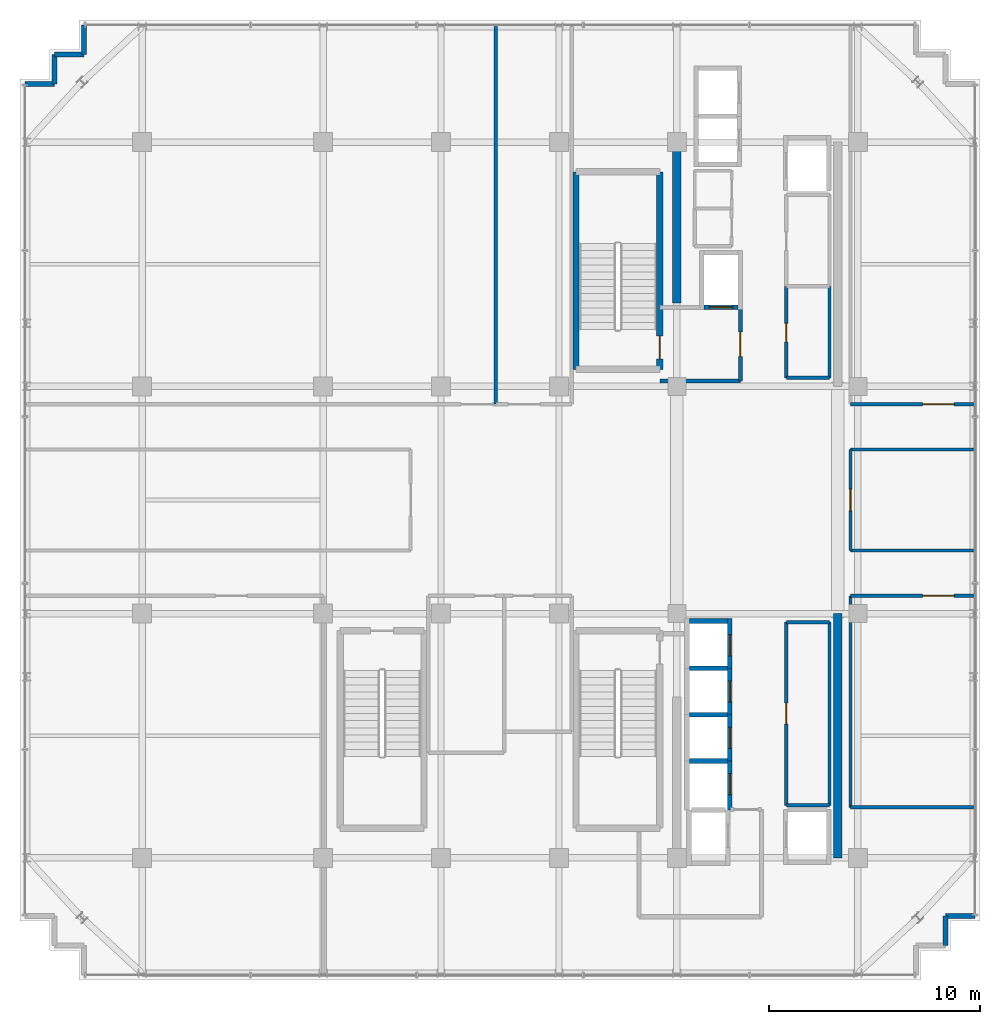
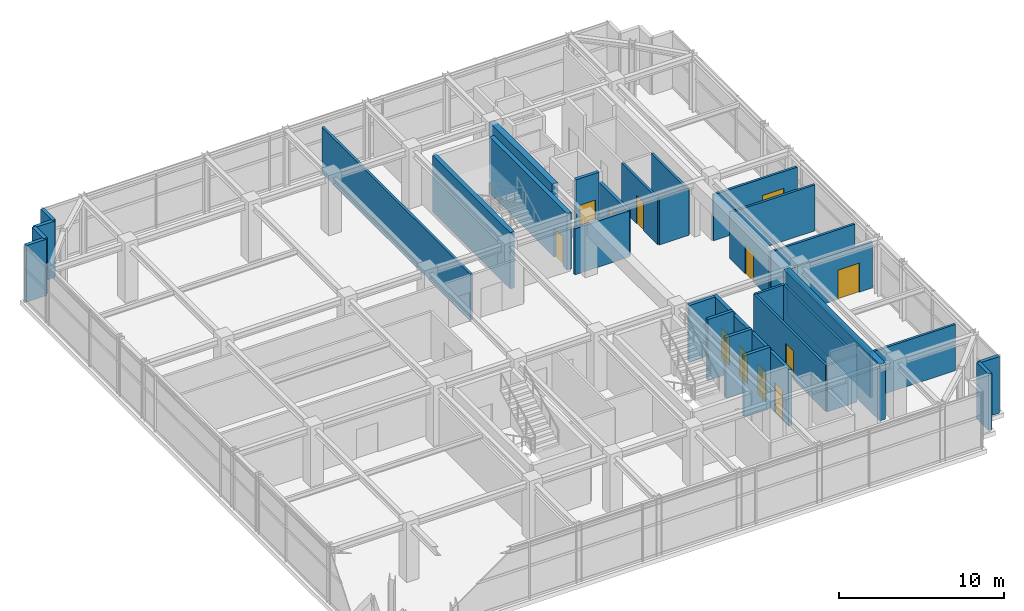
# One storey, part 18 of 20: 36 walls, 12 doors, 12 openings.
"""IFC4 building model written with IfcOpenShell, lengths in metres."""

from ifc_helpers import new_model, si_unit, direction, frame, frame_2d, origin, place, context, subcontext, project, spatial, rectangle, extrude, source, transform, mapped, material, layer, layer_set, type_object, element, fill, save


model = new_model("IFC4")

# Units and contexts
model_context = context("Model", 3, precision=1e-05, world=origin(), true_north=direction((0.0, 1.0)))
body_context = subcontext(model_context, "Body", "Model", "MODEL_VIEW")
ifc_project = project(units=[si_unit("LENGTHUNIT", "METRE"), si_unit("AREAUNIT", "SQUARE_METRE"), si_unit("VOLUMEUNIT", "CUBIC_METRE"), si_unit("PLANEANGLEUNIT", "RADIAN"), si_unit("MASSUNIT", "GRAM", prefix="KILO")], contexts=[model_context])

# Site, building, storey
site_placement = place(None, origin())
site = spatial("IfcSite", under=ifc_project, at=site_placement, CompositionType="ELEMENT")
building_placement = place(site_placement, origin())
building = spatial("IfcBuilding", under=site, at=building_placement, Name="Nahalor Promenade Grand Hotel", CompositionType="ELEMENT")
storey_placement = place(building_placement, frame((0.0, 0.0, 347.550048828125)))
storey = spatial("IfcBuildingStorey", under=building, at=storey_placement, Name="L89", CompositionType="ELEMENT", Elevation=347.550048828125)

# Walls
ifc_material_1 = material(Name="Concrete B-50 (C40/50)", Category="concrete")
ifc_layer_1 = layer(ifc_material_1, 0.39990234375)
ifc_layer_set_1 = layer_set([ifc_layer_1], Name="Concrete B-50 (C40/50)")
wall_type_1 = type_object("IfcWallType", Name="Wall-CoreShear-400", PredefinedType="SHEAR", material=ifc_layer_set_1)
shared_shape_1 = source(origin(), body_context, "Body", "SweptSolid", [
    extrude(rectangle(XDim=7.64990234375, YDim=0.39990234375, at=frame_2d((3.824951171875, 0.0))), origin(), (0.0, 0.0, 1.0), 4.169921875),
])
wall_1_placement = place(storey_placement, frame((8.39990234375, 9.35009765625, 0.0), z_axis=(0.0, 0.0, 1.0), x_axis=(0.0, 1.0, 0.0)))
element("IfcWall", 1, at=wall_1_placement, inside=storey, type_object=wall_type_1, Name="CWALL-L89-NW", PredefinedType="SHEAR", context=body_context, shape_type="MappedRepresentation", body=[
    mapped(shared_shape_1, transform((0.0, 0.0, 0.0), scale=1.0)),
])
shared_shape_2 = source(origin(), body_context, "Body", "SweptSolid", [
    extrude(rectangle(XDim=11.60009765625, YDim=0.39990234375, at=frame_2d((5.800048828125, 0.0))), origin(), (0.0, 0.0, 1.0), 4.169921875),
])
wall_2_placement = place(storey_placement, frame((16.050048828125, -17.0, 0.0), z_axis=(0.0, 0.0, 1.0), x_axis=(0.0, 1.0, 0.0)))
element("IfcWall", 2, at=wall_2_placement, inside=storey, type_object=wall_type_1, Name="CWALL-L89-SE", PredefinedType="SHEAR", context=body_context, shape_type="MappedRepresentation", body=[
    mapped(shared_shape_2, transform((0.0, 0.0, 0.0), scale=1.0)),
])
ifc_layer_2 = layer(ifc_material_1, 0.300048828125)
ifc_layer_set_2 = layer_set([ifc_layer_2], Name="Concrete B-50 (C40/50)")
wall_type_2 = type_object("IfcWallType", Name="Wall-ShaftShear-300", PredefinedType="SHEAR", material=ifc_layer_set_2)
shared_shape_3 = source(origin(), body_context, "Body", "SweptSolid", [
    extrude(rectangle(XDim=9.380126953125, YDim=0.300048828125, at=frame_2d((4.68994140625, 0.0))), origin(), (0.0, 0.0, 1.0), 4.169921875),
])
wall_3_placement = place(storey_placement, frame((3.610107421875, 6.2099609375, 0.0), z_axis=(0.0, 0.0, 1.0), x_axis=(0.0, 1.0, 0.0)))
element("IfcWall", 3, at=wall_3_placement, inside=storey, type_object=wall_type_2, Name="L89 Exit Stair ST1 Shaft Wall W", PredefinedType="SHEAR", context=body_context, shape_type="MappedRepresentation", body=[
    mapped(shared_shape_3, transform((0.0, 0.0, 0.0), scale=1.0)),
])

# Wall, opening, door
wall_4_placement = place(storey_placement, frame((7.590087890625, 6.2099609375, 0.0), z_axis=(0.0, 0.0, 1.0), x_axis=(0.0, 1.0, 0.0)))
wall_4 = element("IfcWall", 4, at=wall_4_placement, inside=storey, type_object=wall_type_2, Name="L89 Exit Stair ST1 Shaft Wall E", PredefinedType="SHEAR", context=body_context, shape_type="MappedRepresentation", body=[
    mapped(shared_shape_3, transform((0.0, 0.0, 0.0), scale=1.0)),
])
opening_1_placement = place(wall_4_placement, frame((0.489990234375, 0.0, 0.0)))
opening_1 = element("IfcOpeningElement", 5, at=opening_1_placement, cuts=wall_4, Name="Opening D-ST1", PredefinedType="OPENING", context=body_context, shape_type="SweptSolid", body=[
    extrude(rectangle(XDim=1.10009765625, YDim=2.14990234375, at=frame_2d((0.550048828125, 1.074951171875))), frame((0.0, 0.159912109375, 0.0), z_axis=(0.0, -1.0, 0.0), x_axis=(1.0, 0.0, 0.0)), (0.0, 0.0, 1.0), 0.320068359375),
])
ifc_material_2 = material(Name="Steel S355JR", Category="steel")
door_type_1 = type_object("IfcDoorType", Name="Door-StairFire-1100", OperationType="NOTDEFINED", PredefinedType="DOOR", material=ifc_material_2)
shared_shape_4 = source(origin(), body_context, "Body", "SweptSolid", [
    extrude(rectangle(XDim=1.10009765625, YDim=2.14990234375, at=frame_2d((0.550048828125, 1.074951171875))), frame((0.0, 0.02490234375, 0.0), z_axis=(0.0, -1.0, 0.0), x_axis=(1.0, 0.0, 0.0)), (0.0, 0.0, 1.0), 0.050048828125),
])
door_1_placement = place(opening_1_placement, origin())
door_1 = element("IfcDoor", 6, at=door_1_placement, inside=storey, type_object=door_type_1, Name="DR-STAIR-ST1-L89", OperationType="SINGLE_SWING_RIGHT", OverallHeight=2.14990234375, OverallWidth=1.10009765625, PredefinedType="DOOR", context=body_context, shape_type="MappedRepresentation", body=[
    mapped(shared_shape_4, transform((0.0, 0.0, 0.0), scale=1.0)),
])
fill(opening_1, door_1)

# Walls
ifc_layer_3 = layer(ifc_material_1, 0.219970703125)
ifc_layer_set_3 = layer_set([ifc_layer_3], Name="Concrete B-50 (C40/50)")
wall_type_3 = type_object("IfcWallType", Name="Wall-LiftShaft-220", PredefinedType="SHEAR", material=ifc_layer_set_3)
shared_shape_5 = source(origin(), body_context, "Body", "SweptSolid", [
    extrude(rectangle(XDim=1.820068359375, YDim=0.219970703125, at=frame_2d((0.91015625, 0.0))), origin(), (0.0, 0.0, 1.0), 4.5),
])
for number, where, z_axis, x_axis, name in (
    (7, (8.989990234375, -8.0, 0.0), (0.0, 0.0, 1.0), (1.0, 0.0, 0.0), "L89 Lift PL10 Hoistway Wall N"),
    (8, (8.989990234375, -10.199951171875, 0.0), (0.0, 0.0, 1.0), (1.0, 0.0, 0.0), "L89 Lift PL11 Hoistway Wall N"),
    (9, (8.989990234375, -12.39990234375, 0.0), (0.0, 0.0, 1.0), (1.0, 0.0, 0.0), "L89 Lift PL12 Hoistway Wall N"),
):
    element("IfcWall", number, at=place(storey_placement, frame(where, z_axis=z_axis, x_axis=x_axis)), inside=storey, type_object=wall_type_3, Name=name, PredefinedType="SHEAR", context=body_context, shape_type="MappedRepresentation", body=[
        mapped(shared_shape_5, transform((0.0, 0.0, 0.0), scale=1.0)),
    ])

# Wall, opening, door
shared_shape_6 = source(origin(), body_context, "Body", "SweptSolid", [
    extrude(rectangle(XDim=2.360107421875, YDim=0.219970703125, at=frame_2d((1.18017578125, 0.0))), origin(), (0.0, 0.0, 1.0), 4.169921875),
])
wall_5_placement = place(storey_placement, frame((10.919921875, -8.0, 0.0), z_axis=(0.0, 0.0, 1.0), x_axis=(0.0, 1.0, 0.0)))
wall_5 = element("IfcWall", 10, at=wall_5_placement, inside=storey, type_object=wall_type_3, Name="L89 Lift PL9 Hoistway Wall E", PredefinedType="SHEAR", context=body_context, shape_type="MappedRepresentation", body=[
    mapped(shared_shape_6, transform((0.0, 0.0, 0.0), scale=1.0)),
])
opening_2_placement = place(wall_5_placement, frame((0.60009765625, 0.0, 0.0)))
opening_2 = element("IfcOpeningElement", 11, at=opening_2_placement, cuts=wall_5, Name="Opening LD-01", PredefinedType="OPENING", context=body_context, shape_type="SweptSolid", body=[
    extrude(rectangle(XDim=1.0, YDim=2.199951171875, at=frame_2d((0.5, 1.10009765625))), frame((0.0, 0.119873046875, 0.0), z_axis=(0.0, -1.0, 0.0), x_axis=(1.0, 0.0, 0.0)), (0.0, 0.0, 1.0), 0.239990234375),
])
door_type_2 = type_object("IfcDoorType", Name="Door-LiftLanding-1000", OperationType="DOUBLE_DOOR_SLIDING", PredefinedType="DOOR", material=ifc_material_2)
shared_shape_7 = source(origin(), body_context, "Body", "SweptSolid", [
    extrude(rectangle(XDim=1.0, YDim=2.199951171875, at=frame_2d((0.5, 1.10009765625))), frame((0.0, 0.02490234375, 0.0), z_axis=(0.0, -1.0, 0.0), x_axis=(1.0, 0.0, 0.0)), (0.0, 0.0, 1.0), 0.050048828125),
])
door_2_placement = place(opening_2_placement, frame((1.0, 0.0, 0.0), z_axis=(0.0, 0.0, 1.0), x_axis=(-1.0, 0.0, 0.0)))
door_2 = element("IfcDoor", 12, at=door_2_placement, inside=storey, type_object=door_type_2, Name="DR-LIFT-PL9-L89", OperationType="DOUBLE_DOOR_SLIDING", OverallHeight=2.199951171875, OverallWidth=1.0, PredefinedType="DOOR", context=body_context, shape_type="MappedRepresentation", body=[
    mapped(shared_shape_7, transform((0.0, 0.0, 0.0), scale=1.0)),
])
fill(opening_2, door_2)

# Wall
shared_shape_8 = source(origin(), body_context, "Body", "SweptSolid", [
    extrude(rectangle(XDim=1.820068359375, YDim=0.219970703125, at=frame_2d((0.91015625, 0.0))), origin(), (0.0, 0.0, 1.0), 4.169921875),
])
wall_6_placement = place(storey_placement, frame((8.989990234375, -5.75, 0.0), z_axis=(0.0, 0.0, 1.0), x_axis=(1.0, 0.0, 0.0)))
element("IfcWall", 13, at=wall_6_placement, inside=storey, type_object=wall_type_3, Name="L89 Lift PL9 Hoistway Wall N", PredefinedType="SHEAR", context=body_context, shape_type="MappedRepresentation", body=[
    mapped(shared_shape_8, transform((0.0, 0.0, 0.0), scale=1.0)),
])

# Wall, opening, door
shared_shape_9 = source(origin(), body_context, "Body", "SweptSolid", [
    extrude(rectangle(XDim=2.199951171875, YDim=0.219970703125, at=frame_2d((1.10009765625, 0.0))), origin(), (0.0, 0.0, 1.0), 4.169921875),
])
wall_7_placement = place(storey_placement, frame((10.919921875, -10.199951171875, 0.0), z_axis=(0.0, 0.0, 1.0), x_axis=(0.0, 1.0, 0.0)))
wall_7 = element("IfcWall", 14, at=wall_7_placement, inside=storey, type_object=wall_type_3, Name="L89 Lift PL10 Hoistway Wall E", PredefinedType="SHEAR", context=body_context, shape_type="MappedRepresentation", body=[
    mapped(shared_shape_9, transform((0.0, 0.0, 0.0), scale=1.0)),
])
opening_3_placement = place(wall_7_placement, frame((0.60009765625, 0.0, 0.0)))
opening_3 = element("IfcOpeningElement", 15, at=opening_3_placement, cuts=wall_7, Name="Opening LD-01", PredefinedType="OPENING", context=body_context, shape_type="SweptSolid", body=[
    extrude(rectangle(XDim=1.0, YDim=2.199951171875, at=frame_2d((0.5, 1.10009765625))), frame((0.0, 0.119873046875, 0.0), z_axis=(0.0, -1.0, 0.0), x_axis=(1.0, 0.0, 0.0)), (0.0, 0.0, 1.0), 0.239990234375),
])
door_3_placement = place(opening_3_placement, frame((1.0, 0.0, 0.0), z_axis=(0.0, 0.0, 1.0), x_axis=(-1.0, 0.0, 0.0)))
door_3 = element("IfcDoor", 16, at=door_3_placement, inside=storey, type_object=door_type_2, Name="DR-LIFT-PL10-L89", OperationType="DOUBLE_DOOR_SLIDING", OverallHeight=2.199951171875, OverallWidth=1.0, PredefinedType="DOOR", context=body_context, shape_type="MappedRepresentation", body=[
    mapped(shared_shape_7, transform((0.0, 0.0, 0.0), scale=1.0)),
])
fill(opening_3, door_3)

wall_8_placement = place(storey_placement, frame((10.919921875, -12.39990234375, 0.0), z_axis=(0.0, 0.0, 1.0), x_axis=(0.0, 1.0, 0.0)))
wall_8 = element("IfcWall", 17, at=wall_8_placement, inside=storey, type_object=wall_type_3, Name="L89 Lift PL11 Hoistway Wall E", PredefinedType="SHEAR", context=body_context, shape_type="MappedRepresentation", body=[
    mapped(shared_shape_9, transform((0.0, 0.0, 0.0), scale=1.0)),
])
opening_4_placement = place(wall_8_placement, frame((0.60009765625, 0.0, 0.0)))
opening_4 = element("IfcOpeningElement", 18, at=opening_4_placement, cuts=wall_8, Name="Opening LD-01", PredefinedType="OPENING", context=body_context, shape_type="SweptSolid", body=[
    extrude(rectangle(XDim=1.0, YDim=2.199951171875, at=frame_2d((0.5, 1.10009765625))), frame((0.0, 0.119873046875, 0.0), z_axis=(0.0, -1.0, 0.0), x_axis=(1.0, 0.0, 0.0)), (0.0, 0.0, 1.0), 0.239990234375),
])
door_4_placement = place(opening_4_placement, frame((1.0, 0.0, 0.0), z_axis=(0.0, 0.0, 1.0), x_axis=(-1.0, 0.0, 0.0)))
door_4 = element("IfcDoor", 19, at=door_4_placement, inside=storey, type_object=door_type_2, Name="DR-LIFT-PL11-L89", OperationType="DOUBLE_DOOR_SLIDING", OverallHeight=2.199951171875, OverallWidth=1.0, PredefinedType="DOOR", context=body_context, shape_type="MappedRepresentation", body=[
    mapped(shared_shape_7, transform((0.0, 0.0, 0.0), scale=1.0)),
])
fill(opening_4, door_4)

shared_shape_10 = source(origin(), body_context, "Body", "SweptSolid", [
    extrude(rectangle(XDim=2.3251953125, YDim=0.219970703125, at=frame_2d((1.16259765625, 0.0))), origin(), (0.0, 0.0, 1.0), 4.169921875),
])
wall_9_placement = place(storey_placement, frame((10.919921875, -14.72509765625, 0.0), z_axis=(0.0, 0.0, 1.0), x_axis=(0.0, 1.0, 0.0)))
wall_9 = element("IfcWall", 20, at=wall_9_placement, inside=storey, type_object=wall_type_3, Name="L89 Lift PL12 Hoistway Wall E", PredefinedType="SHEAR", context=body_context, shape_type="MappedRepresentation", body=[
    mapped(shared_shape_10, transform((0.0, 0.0, 0.0), scale=1.0)),
])
opening_5_placement = place(wall_9_placement, frame((0.72509765625, 0.0, 0.0)))
opening_5 = element("IfcOpeningElement", 21, at=opening_5_placement, cuts=wall_9, Name="Opening LD-01", PredefinedType="OPENING", context=body_context, shape_type="SweptSolid", body=[
    extrude(rectangle(XDim=1.0, YDim=2.199951171875, at=frame_2d((0.5, 1.10009765625))), frame((0.0, 0.119873046875, 0.0), z_axis=(0.0, -1.0, 0.0), x_axis=(1.0, 0.0, 0.0)), (0.0, 0.0, 1.0), 0.239990234375),
])
door_5_placement = place(opening_5_placement, frame((1.0, 0.0, 0.0), z_axis=(0.0, 0.0, 1.0), x_axis=(-1.0, 0.0, 0.0)))
door_5 = element("IfcDoor", 22, at=door_5_placement, inside=storey, type_object=door_type_2, Name="DR-LIFT-PL12-L89", OperationType="DOUBLE_DOOR_SLIDING", OverallHeight=2.199951171875, OverallWidth=1.0, PredefinedType="DOOR", context=body_context, shape_type="MappedRepresentation", body=[
    mapped(shared_shape_7, transform((0.0, 0.0, 0.0), scale=1.0)),
])
fill(opening_5, door_5)

shared_shape_11 = source(origin(), body_context, "Body", "SweptSolid", [
    extrude(rectangle(XDim=1.6201171875, YDim=0.219970703125, at=frame_2d((0.81005859375, 0.0))), origin(), (0.0, 0.0, 1.0), 4.169921875),
])
wall_10_placement = place(storey_placement, frame((9.68994140625, 9.14990234375, 0.0), z_axis=(0.0, 0.0, 1.0), x_axis=(1.0, 0.0, 0.0)))
wall_10 = element("IfcWall", 23, at=wall_10_placement, inside=storey, type_object=wall_type_3, Name="L89 Lift FL1 Hoistway Wall S", PredefinedType="SHEAR", context=body_context, shape_type="MappedRepresentation", body=[
    mapped(shared_shape_11, transform((0.0, 0.0, 0.0), scale=1.0)),
])
opening_6_placement = place(wall_10_placement, frame((0.260009765625, 0.0, 0.0)))
opening_6 = element("IfcOpeningElement", 24, at=opening_6_placement, cuts=wall_10, Name="Opening LD-02", PredefinedType="OPENING", context=body_context, shape_type="SweptSolid", body=[
    extrude(rectangle(XDim=1.10009765625, YDim=2.199951171875, at=frame_2d((0.550048828125, 1.10009765625))), frame((0.0, 0.119873046875, 0.0), z_axis=(0.0, -1.0, 0.0), x_axis=(1.0, 0.0, 0.0)), (0.0, 0.0, 1.0), 0.239990234375),
])
door_type_3 = type_object("IfcDoorType", Name="Door-LiftFF-1100", OperationType="DOUBLE_DOOR_SLIDING", PredefinedType="DOOR", material=ifc_material_2)
shared_shape_12 = source(origin(), body_context, "Body", "SweptSolid", [
    extrude(rectangle(XDim=1.10009765625, YDim=2.199951171875, at=frame_2d((0.550048828125, 1.10009765625))), frame((0.0, 0.02490234375, 0.0), z_axis=(0.0, -1.0, 0.0), x_axis=(1.0, 0.0, 0.0)), (0.0, 0.0, 1.0), 0.050048828125),
])
door_6_placement = place(opening_6_placement, frame((1.10009765625, 0.0, 0.0), z_axis=(0.0, 0.0, 1.0), x_axis=(-1.0, 0.0, 0.0)))
door_6 = element("IfcDoor", 25, at=door_6_placement, inside=storey, type_object=door_type_3, Name="DR-LIFT-FL1-L89", OperationType="DOUBLE_DOOR_SLIDING", OverallHeight=2.199951171875, OverallWidth=1.10009765625, PredefinedType="DOOR", context=body_context, shape_type="MappedRepresentation", body=[
    mapped(shared_shape_12, transform((0.0, 0.0, 0.0), scale=1.0)),
])
fill(opening_6, door_6)

# Walls
ifc_material_3 = material(Name="Concrete B-40 (C32/40)", Category="concrete")
ifc_layer_4 = layer(ifc_material_3, 0.25)
ifc_layer_set_4 = layer_set([ifc_layer_4], Name="Concrete B-40 (C32/40)")
wall_type_4 = type_object("IfcWallType", Name="Wall-BronzePier-250", PredefinedType="STANDARD", material=ifc_layer_set_4)
shared_shape_13 = source(origin(), body_context, "Body", "SweptSolid", [
    extrude(rectangle(XDim=1.400146484375, YDim=0.25, at=frame_2d((0.7001953125, 0.0))), origin(), (0.0, 0.0, 1.0), 4.169921875),
])
for number, where, z_axis, x_axis, name in (
    (26, (21.159912109375, -19.760009765625, 0.0), (0.0, 0.0, 1.0), (1.0, 0.0, 0.0), "W-L89-SR-04"),
    (27, (-19.760009765625, 21.159912109375, 0.0), (0.0, 0.0, 1.0), (0.0, 1.0, 0.0), "W-L89-SR-09"),
    (28, (-22.56005859375, 19.760009765625, 0.0), (0.0, 0.0, 1.0), (1.0, 0.0, 0.0), "W-L89-SR-12"),
):
    element("IfcWall", number, at=place(storey_placement, frame(where, z_axis=z_axis, x_axis=x_axis)), inside=storey, type_object=wall_type_4, Name=name, PredefinedType="STANDARD", context=body_context, shape_type="MappedRepresentation", body=[
        mapped(shared_shape_13, transform((0.0, 0.0, 0.0), scale=1.0)),
    ])
shared_shape_14 = source(origin(), body_context, "Body", "SweptSolid", [
    extrude(rectangle(XDim=1.39990234375, YDim=0.25, at=frame_2d((0.699951171875, 0.0))), origin(), (0.0, 0.0, 1.0), 4.169921875),
])
for number, where, z_axis, x_axis, name in (
    (29, (21.159912109375, -21.159912109375, 0.0), (0.0, 0.0, 1.0), (0.0, 1.0, 0.0), "W-L89-SR-03"),
    (30, (-21.159912109375, 21.159912109375, 0.0), (0.0, 0.0, 1.0), (1.0, 0.0, 0.0), "W-L89-SR-10"),
    (31, (-21.159912109375, 19.760009765625, 0.0), (0.0, 0.0, 1.0), (0.0, 1.0, 0.0), "W-L89-SR-11"),
):
    element("IfcWall", number, at=place(storey_placement, frame(where, z_axis=z_axis, x_axis=x_axis)), inside=storey, type_object=wall_type_4, Name=name, PredefinedType="STANDARD", context=body_context, shape_type="MappedRepresentation", body=[
        mapped(shared_shape_14, transform((0.0, 0.0, 0.0), scale=1.0)),
    ])
ifc_layer_5 = layer(ifc_material_3, 0.199951171875)
ifc_layer_set_5 = layer_set([ifc_layer_5], Name="Concrete B-40 (C32/40)")
wall_type_5 = type_object("IfcWallType", Name="Wall-PartFire-200", PredefinedType="PARTITIONING", material=ifc_layer_set_5)
shared_shape_15 = source(origin(), body_context, "Body", "SweptSolid", [
    extrude(rectangle(XDim=3.81982421875, YDim=0.199951171875, at=frame_2d((1.909912109375, 0.0))), origin(), (0.0, 0.0, 1.0), 3.39990234375),
])
wall_11_placement = place(storey_placement, frame((7.60009765625, 5.64990234375, 0.0), z_axis=(0.0, 0.0, 1.0), x_axis=(1.0, 0.0, 0.0)))
element("IfcWall", 32, at=wall_11_placement, inside=storey, type_object=wall_type_5, Name="W-L89-FF1-S", PredefinedType="PARTITIONING", context=body_context, shape_type="MappedRepresentation", body=[
    mapped(shared_shape_15, transform((0.0, 0.0, 0.0), scale=1.0)),
])

# Wall, opening, door
shared_shape_16 = source(origin(), body_context, "Body", "SweptSolid", [
    extrude(rectangle(XDim=3.5, YDim=0.199951171875, at=frame_2d((1.75, 0.0))), origin(), (0.0, 0.0, 1.0), 3.39990234375),
])
wall_12_placement = place(storey_placement, frame((11.419921875, 5.64990234375, 0.0), z_axis=(0.0, 0.0, 1.0), x_axis=(0.0, 1.0, 0.0)))
wall_12 = element("IfcWall", 33, at=wall_12_placement, inside=storey, type_object=wall_type_5, Name="W-L89-FF1-E", PredefinedType="PARTITIONING", context=body_context, shape_type="MappedRepresentation", body=[
    mapped(shared_shape_16, transform((0.0, 0.0, 0.0), scale=1.0)),
])
opening_7_placement = place(wall_12_placement, frame((1.175048828125, 0.0, 0.0)))
opening_7 = element("IfcOpeningElement", 34, at=opening_7_placement, cuts=wall_12, Name="Opening D-FF1", PredefinedType="OPENING", context=body_context, shape_type="SweptSolid", body=[
    extrude(rectangle(XDim=1.14990234375, YDim=2.14990234375, at=frame_2d((0.574951171875, 1.074951171875))), frame((0.0, 0.10986328125, 0.0), z_axis=(0.0, -1.0, 0.0), x_axis=(1.0, 0.0, 0.0)), (0.0, 0.0, 1.0), 0.219970703125),
])
door_type_4 = type_object("IfcDoorType", Name="Door-FFLobby-1150", OperationType="NOTDEFINED", PredefinedType="DOOR", material=ifc_material_2)
shared_shape_17 = source(origin(), body_context, "Body", "SweptSolid", [
    extrude(rectangle(XDim=1.14990234375, YDim=2.14990234375, at=frame_2d((0.574951171875, 1.074951171875))), frame((0.0, 0.02490234375, 0.0), z_axis=(0.0, -1.0, 0.0), x_axis=(1.0, 0.0, 0.0)), (0.0, 0.0, 1.0), 0.050048828125),
])
door_7_placement = place(opening_7_placement, frame((1.14990234375, 0.0, 0.0), z_axis=(0.0, 0.0, 1.0), x_axis=(-1.0, 0.0, 0.0)))
door_7 = element("IfcDoor", 35, at=door_7_placement, inside=storey, type_object=door_type_4, Name="DR-L89-FFL1", OperationType="SINGLE_SWING_LEFT", OverallHeight=2.14990234375, OverallWidth=1.14990234375, PredefinedType="DOOR", context=body_context, shape_type="MappedRepresentation", body=[
    mapped(shared_shape_17, transform((0.0, 0.0, 0.0), scale=1.0)),
])
fill(opening_7, door_7)

ifc_material_4 = material(Name="Acoustic Mineral Gypsum", Category="gypsum")
ifc_layer_6 = layer(ifc_material_4, 0.159912109375)
ifc_layer_set_6 = layer_set([ifc_layer_6], Name="Acoustic Mineral Gypsum")
wall_type_6 = type_object("IfcWallType", Name="Wall-PartCorridor-160", PredefinedType="PARTITIONING", material=ifc_layer_set_6)
shared_shape_18 = source(origin(), body_context, "Body", "SweptSolid", [
    extrude(rectangle(XDim=4.7998046875, YDim=0.159912109375, at=frame_2d((2.39990234375, 0.0))), origin(), (0.0, 0.0, 1.0), 3.39990234375),
])
wall_13_placement = place(storey_placement, frame((16.64990234375, -2.39990234375, 0.0), z_axis=(0.0, 0.0, 1.0), x_axis=(0.0, 1.0, 0.0)))
wall_13 = element("IfcWall", 36, at=wall_13_placement, inside=storey, type_object=wall_type_6, Name="W-L89-SK02-W", PredefinedType="PARTITIONING", context=body_context, shape_type="MappedRepresentation", body=[
    mapped(shared_shape_18, transform((0.0, 0.0, 0.0), scale=1.0)),
])
opening_8_placement = place(wall_13_placement, frame((1.89990234375, 0.0, 0.0)))
opening_8 = element("IfcOpeningElement", 37, at=opening_8_placement, cuts=wall_13, Name="Opening D-04", PredefinedType="OPENING", context=body_context, shape_type="SweptSolid", body=[
    extrude(rectangle(XDim=1.0, YDim=2.10009765625, at=frame_2d((0.5, 1.050048828125))), frame((0.0, 0.08984375, 0.0), z_axis=(0.0, -1.0, 0.0), x_axis=(1.0, 0.0, 0.0)), (0.0, 0.0, 1.0), 0.179931640625),
])
door_type_5 = type_object("IfcDoorType", Name="Door-ServiceFire-1000", OperationType="NOTDEFINED", PredefinedType="DOOR", material=ifc_material_2)
shared_shape_19 = source(origin(), body_context, "Body", "SweptSolid", [
    extrude(rectangle(XDim=1.0, YDim=2.10009765625, at=frame_2d((0.5, 1.050048828125))), frame((0.0, 0.02490234375, 0.0), z_axis=(0.0, -1.0, 0.0), x_axis=(1.0, 0.0, 0.0)), (0.0, 0.0, 1.0), 0.050048828125),
])
door_8_placement = place(opening_8_placement, frame((1.0, 0.0, 0.0), z_axis=(0.0, 0.0, 1.0), x_axis=(-1.0, 0.0, 0.0)))
door_8 = element("IfcDoor", 38, at=door_8_placement, inside=storey, type_object=door_type_5, Name="DR-L89-SK02", OperationType="SINGLE_SWING_RIGHT", OverallHeight=2.10009765625, OverallWidth=1.0, PredefinedType="DOOR", context=body_context, shape_type="MappedRepresentation", body=[
    mapped(shared_shape_19, transform((0.0, 0.0, 0.0), scale=1.0)),
])
fill(opening_8, door_8)

# Walls
shared_shape_20 = source(origin(), body_context, "Body", "SweptSolid", [
    extrude(rectangle(XDim=2.0498046875, YDim=0.159912109375, at=frame_2d((1.02490234375, 0.0))), origin(), (0.0, 0.0, 1.0), 3.39990234375),
])
for number, where, z_axis, x_axis, name in (
    (39, (13.60009765625, 5.800048828125, 0.0), (0.0, 0.0, 1.0), (1.0, 0.0, 0.0), "W-L89-FRB1A-S"),
    (40, (13.60009765625, -14.5, 0.0), (0.0, 0.0, 1.0), (1.0, 0.0, 0.0), "W-L89-FRB2-S"),
    (41, (13.60009765625, -5.800048828125, 0.0), (0.0, 0.0, 1.0), (1.0, 0.0, 0.0), "W-L89-FRB2-N"),
):
    element("IfcWall", number, at=place(storey_placement, frame(where, z_axis=z_axis, x_axis=x_axis)), inside=storey, type_object=wall_type_6, Name=name, PredefinedType="PARTITIONING", context=body_context, shape_type="MappedRepresentation", body=[
        mapped(shared_shape_20, transform((0.0, 0.0, 0.0), scale=1.0)),
    ])

# Wall, opening, door
shared_shape_21 = source(origin(), body_context, "Body", "SweptSolid", [
    extrude(rectangle(XDim=4.349853515625, YDim=0.159912109375, at=frame_2d((2.1748046875, 0.0))), origin(), (0.0, 0.0, 1.0), 3.39990234375),
])
wall_14_placement = place(storey_placement, frame((13.60009765625, 5.800048828125, 0.0), z_axis=(0.0, 0.0, 1.0), x_axis=(0.0, 1.0, 0.0)))
wall_14 = element("IfcWall", 42, at=wall_14_placement, inside=storey, type_object=wall_type_6, Name="W-L89-FRB1A-W", PredefinedType="PARTITIONING", context=body_context, shape_type="MappedRepresentation", body=[
    mapped(shared_shape_21, transform((0.0, 0.0, 0.0), scale=1.0)),
])
opening_9_placement = place(wall_14_placement, frame((1.7099609375, 0.0, 0.0)))
opening_9 = element("IfcOpeningElement", 43, at=opening_9_placement, cuts=wall_14, Name="Opening D-03", PredefinedType="OPENING", context=body_context, shape_type="SweptSolid", body=[
    extrude(rectangle(XDim=0.8798828125, YDim=2.10009765625, at=frame_2d((0.43994140625, 1.050048828125))), frame((0.0, 0.08984375, 0.0), z_axis=(0.0, -1.0, 0.0), x_axis=(1.0, 0.0, 0.0)), (0.0, 0.0, 1.0), 0.179931640625),
])
ifc_material_5 = material(Name="Fire-Rated Timber Composite", Category="wood")
door_type_6 = type_object("IfcDoorType", Name="Door-BathSwing-880", OperationType="NOTDEFINED", PredefinedType="DOOR", material=ifc_material_5)
shared_shape_22 = source(origin(), body_context, "Body", "SweptSolid", [
    extrude(rectangle(XDim=0.8798828125, YDim=2.10009765625, at=frame_2d((0.43994140625, 1.050048828125))), frame((0.0, 0.02490234375, 0.0), z_axis=(0.0, -1.0, 0.0), x_axis=(1.0, 0.0, 0.0)), (0.0, 0.0, 1.0), 0.050048828125),
])
door_9_placement = place(opening_9_placement, frame((0.8798828125, 0.0, 0.0), z_axis=(0.0, 0.0, 1.0), x_axis=(-1.0, 0.0, 0.0)))
door_9 = element("IfcDoor", 44, at=door_9_placement, inside=storey, type_object=door_type_6, Name="DR-L89-FRB1A", OperationType="SINGLE_SWING_LEFT", OverallHeight=2.10009765625, OverallWidth=0.8798828125, PredefinedType="DOOR", context=body_context, shape_type="MappedRepresentation", body=[
    mapped(shared_shape_22, transform((0.0, 0.0, 0.0), scale=1.0)),
])
fill(opening_9, door_9)

# Walls
wall_15_placement = place(storey_placement, frame((15.64990234375, 5.800048828125, 0.0), z_axis=(0.0, 0.0, 1.0), x_axis=(0.0, 1.0, 0.0)))
element("IfcWall", 45, at=wall_15_placement, inside=storey, type_object=wall_type_6, Name="W-L89-FRB1A-E", PredefinedType="PARTITIONING", context=body_context, shape_type="MappedRepresentation", body=[
    mapped(shared_shape_21, transform((0.0, 0.0, 0.0), scale=1.0)),
])
shared_shape_23 = source(origin(), body_context, "Body", "SweptSolid", [
    extrude(rectangle(XDim=5.85009765625, YDim=0.159912109375, at=frame_2d((2.925048828125, 0.0))), origin(), (0.0, 0.0, 1.0), 3.39990234375),
])
for number, where, z_axis, x_axis, name in (
    (46, (16.64990234375, -2.39990234375, 0.0), (0.0, 0.0, 1.0), (1.0, 0.0, 0.0), "W-L89-SK02-S"),
    (47, (16.64990234375, 2.39990234375, 0.0), (0.0, 0.0, 1.0), (1.0, 0.0, 0.0), "W-L89-SK02-N"),
):
    element("IfcWall", number, at=place(storey_placement, frame(where, z_axis=z_axis, x_axis=x_axis)), inside=storey, type_object=wall_type_6, Name=name, PredefinedType="PARTITIONING", context=body_context, shape_type="MappedRepresentation", body=[
        mapped(shared_shape_23, transform((0.0, 0.0, 0.0), scale=1.0)),
    ])

# Wall, opening, door
wall_16_placement = place(storey_placement, frame((16.64990234375, 4.550048828125, 0.0), z_axis=(0.0, 0.0, 1.0), x_axis=(1.0, 0.0, 0.0)))
wall_16 = element("IfcWall", 48, at=wall_16_placement, inside=storey, type_object=wall_type_6, Name="W-L89-SK06-S", PredefinedType="PARTITIONING", context=body_context, shape_type="MappedRepresentation", body=[
    mapped(shared_shape_23, transform((0.0, 0.0, 0.0), scale=1.0)),
])
opening_10_placement = place(wall_16_placement, frame((3.419921875, 0.0, 0.0)))
opening_10 = element("IfcOpeningElement", 49, at=opening_10_placement, cuts=wall_16, Name="Opening D-02", PredefinedType="OPENING", context=body_context, shape_type="SweptSolid", body=[
    extrude(rectangle(XDim=1.5, YDim=2.14990234375, at=frame_2d((0.75, 1.074951171875))), frame((0.0, 0.08984375, 0.0), z_axis=(0.0, -1.0, 0.0), x_axis=(1.0, 0.0, 0.0)), (0.0, 0.0, 1.0), 0.179931640625),
])
door_type_7 = type_object("IfcDoorType", Name="Door-SuiteDouble-1500", OperationType="DOUBLE_DOOR_SINGLE_SWING", PredefinedType="DOOR", material=ifc_material_5)
shared_shape_24 = source(origin(), body_context, "Body", "SweptSolid", [
    extrude(rectangle(XDim=1.5, YDim=2.14990234375, at=frame_2d((0.75, 1.074951171875))), frame((0.0, 0.02490234375, 0.0), z_axis=(0.0, -1.0, 0.0), x_axis=(1.0, 0.0, 0.0)), (0.0, 0.0, 1.0), 0.050048828125),
])
door_10_placement = place(opening_10_placement, origin())
door_10 = element("IfcDoor", 50, at=door_10_placement, inside=storey, type_object=door_type_7, Name="DR-L89-SK06", OperationType="DOUBLE_DOOR_SINGLE_SWING", OverallHeight=2.14990234375, OverallWidth=1.5, PredefinedType="DOOR", context=body_context, shape_type="MappedRepresentation", body=[
    mapped(shared_shape_24, transform((0.0, 0.0, 0.0), scale=1.0)),
])
fill(opening_10, door_10)

# Wall
wall_17_placement = place(storey_placement, frame((16.64990234375, -14.60009765625, 0.0), z_axis=(0.0, 0.0, 1.0), x_axis=(1.0, 0.0, 0.0)))
element("IfcWall", 51, at=wall_17_placement, inside=storey, type_object=wall_type_6, Name="W-L89-SK07-S", PredefinedType="PARTITIONING", context=body_context, shape_type="MappedRepresentation", body=[
    mapped(shared_shape_23, transform((0.0, 0.0, 0.0), scale=1.0)),
])

# Wall, opening, door
wall_18_placement = place(storey_placement, frame((16.64990234375, -4.550048828125, 0.0), z_axis=(0.0, 0.0, 1.0), x_axis=(1.0, 0.0, 0.0)))
wall_18 = element("IfcWall", 52, at=wall_18_placement, inside=storey, type_object=wall_type_6, Name="W-L89-SK07-N", PredefinedType="PARTITIONING", context=body_context, shape_type="MappedRepresentation", body=[
    mapped(shared_shape_23, transform((0.0, 0.0, 0.0), scale=1.0)),
])
opening_11_placement = place(wall_18_placement, frame((3.419921875, 0.0, 0.0)))
opening_11 = element("IfcOpeningElement", 53, at=opening_11_placement, cuts=wall_18, Name="Opening D-02", PredefinedType="OPENING", context=body_context, shape_type="SweptSolid", body=[
    extrude(rectangle(XDim=1.5, YDim=2.14990234375, at=frame_2d((0.75, 1.074951171875))), frame((0.0, 0.08984375, 0.0), z_axis=(0.0, -1.0, 0.0), x_axis=(1.0, 0.0, 0.0)), (0.0, 0.0, 1.0), 0.179931640625),
])
door_11_placement = place(opening_11_placement, frame((1.5, 0.0, 0.0), z_axis=(0.0, 0.0, 1.0), x_axis=(-1.0, 0.0, 0.0)))
door_11 = element("IfcDoor", 54, at=door_11_placement, inside=storey, type_object=door_type_7, Name="DR-L89-SK07", OperationType="DOUBLE_DOOR_SINGLE_SWING", OverallHeight=2.14990234375, OverallWidth=1.5, PredefinedType="DOOR", context=body_context, shape_type="MappedRepresentation", body=[
    mapped(shared_shape_24, transform((0.0, 0.0, 0.0), scale=1.0)),
])
fill(opening_11, door_11)

# Walls
shared_shape_25 = source(origin(), body_context, "Body", "SweptSolid", [
    extrude(rectangle(XDim=17.949951171875, YDim=0.159912109375, at=frame_2d((8.97509765625, 0.0))), origin(), (0.0, 0.0, 1.0), 3.39990234375),
])
wall_19_placement = place(storey_placement, frame((-0.199951171875, 4.550048828125, 0.0), z_axis=(0.0, 0.0, 1.0), x_axis=(0.0, 1.0, 0.0)))
element("IfcWall", 55, at=wall_19_placement, inside=storey, type_object=wall_type_6, Name="W-L89-SK03-E", PredefinedType="PARTITIONING", context=body_context, shape_type="MappedRepresentation", body=[
    mapped(shared_shape_25, transform((0.0, 0.0, 0.0), scale=1.0)),
])
shared_shape_26 = source(origin(), body_context, "Body", "SweptSolid", [
    extrude(rectangle(XDim=10.050048828125, YDim=0.159912109375, at=frame_2d((5.02490234375, 0.0))), origin(), (0.0, 0.0, 1.0), 3.39990234375),
])
wall_20_placement = place(storey_placement, frame((16.64990234375, -14.60009765625, 0.0), z_axis=(0.0, 0.0, 1.0), x_axis=(0.0, 1.0, 0.0)))
element("IfcWall", 56, at=wall_20_placement, inside=storey, type_object=wall_type_6, Name="W-L89-SK07-W", PredefinedType="PARTITIONING", context=body_context, shape_type="MappedRepresentation", body=[
    mapped(shared_shape_26, transform((0.0, 0.0, 0.0), scale=1.0)),
])

# Wall, opening, door
shared_shape_27 = source(origin(), body_context, "Body", "SweptSolid", [
    extrude(rectangle(XDim=8.699951171875, YDim=0.159912109375, at=frame_2d((4.35009765625, 0.0))), origin(), (0.0, 0.0, 1.0), 3.39990234375),
])
wall_21_placement = place(storey_placement, frame((13.60009765625, -14.5, 0.0), z_axis=(0.0, 0.0, 1.0), x_axis=(0.0, 1.0, 0.0)))
wall_21 = element("IfcWall", 57, at=wall_21_placement, inside=storey, type_object=wall_type_6, Name="W-L89-FRB2-W", PredefinedType="PARTITIONING", context=body_context, shape_type="MappedRepresentation", body=[
    mapped(shared_shape_27, transform((0.0, 0.0, 0.0), scale=1.0)),
])
opening_12_placement = place(wall_21_placement, frame((3.85009765625, 0.0, 0.0)))
opening_12 = element("IfcOpeningElement", 58, at=opening_12_placement, cuts=wall_21, Name="Opening D-04", PredefinedType="OPENING", context=body_context, shape_type="SweptSolid", body=[
    extrude(rectangle(XDim=1.0, YDim=2.10009765625, at=frame_2d((0.5, 1.050048828125))), frame((0.0, 0.08984375, 0.0), z_axis=(0.0, -1.0, 0.0), x_axis=(1.0, 0.0, 0.0)), (0.0, 0.0, 1.0), 0.179931640625),
])
door_12_placement = place(opening_12_placement, frame((1.0, 0.0, 0.0), z_axis=(0.0, 0.0, 1.0), x_axis=(-1.0, 0.0, 0.0)))
door_12 = element("IfcDoor", 59, at=door_12_placement, inside=storey, type_object=door_type_5, Name="DR-L89-FRB2", OperationType="SINGLE_SWING_LEFT", OverallHeight=2.10009765625, OverallWidth=1.0, PredefinedType="DOOR", context=body_context, shape_type="MappedRepresentation", body=[
    mapped(shared_shape_19, transform((0.0, 0.0, 0.0), scale=1.0)),
])
fill(opening_12, door_12)

# Wall
wall_22_placement = place(storey_placement, frame((15.64990234375, -14.5, 0.0), z_axis=(0.0, 0.0, 1.0), x_axis=(0.0, 1.0, 0.0)))
element("IfcWall", 60, at=wall_22_placement, inside=storey, type_object=wall_type_6, Name="W-L89-FRB2-E", PredefinedType="PARTITIONING", context=body_context, shape_type="MappedRepresentation", body=[
    mapped(shared_shape_27, transform((0.0, 0.0, 0.0), scale=1.0)),
])

save(model, "model.ifc")
